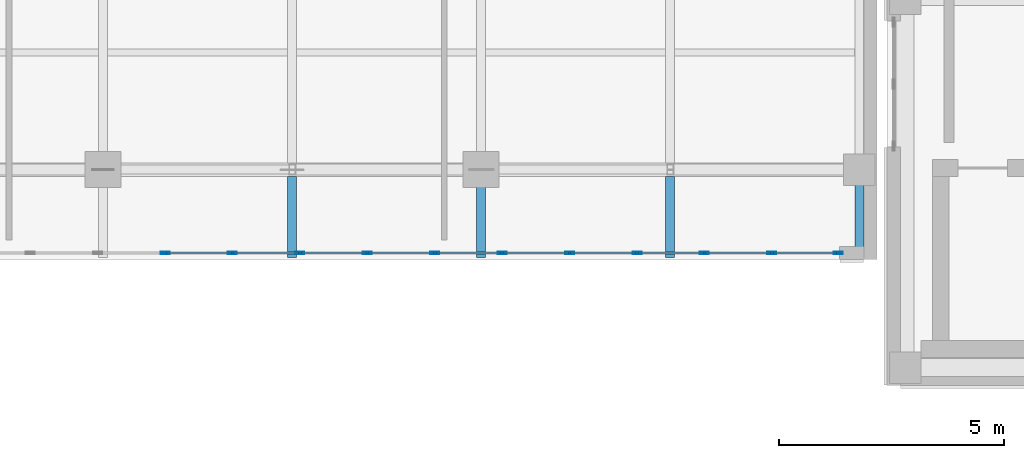
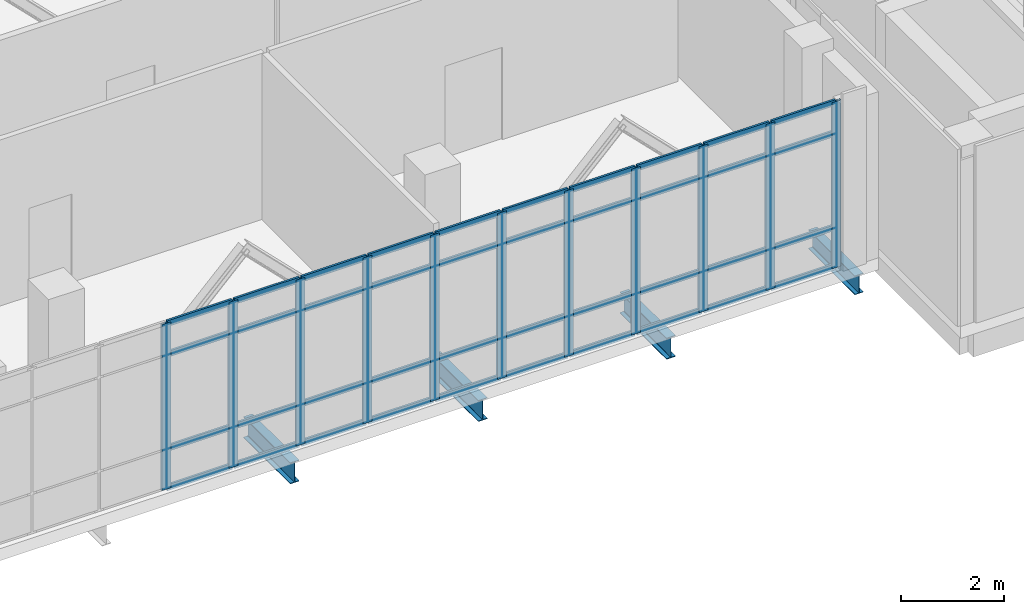
# One storey, part 4 of 165: 51 members, 4 beams, 1 element without a shape of its own.
"""IFC4 building model written with IfcOpenShell, lengths in metres."""

from ifc_helpers import new_model, si_unit, direction, frame, origin, origin_2d, place, context, subcontext, project, spatial, hollow_rectangle, i_section, extrude, material, layer, layer_set, material_profile, profile_set, type_object, element, aggregate, save


model = new_model("IFC4")

# Units and contexts
model_context = context("Model", 3, precision=1e-05, world=origin(), true_north=direction((0.0, 1.0)))
body_context = subcontext(model_context, "Body", "Model", "MODEL_VIEW")
ifc_project = project(units=[si_unit("LENGTHUNIT", "METRE"), si_unit("AREAUNIT", "SQUARE_METRE"), si_unit("VOLUMEUNIT", "CUBIC_METRE"), si_unit("PLANEANGLEUNIT", "RADIAN"), si_unit("MASSUNIT", "GRAM", prefix="KILO")], contexts=[model_context])

# Site, building, storey
site_placement = place(None, origin())
site = spatial("IfcSite", under=ifc_project, at=site_placement, CompositionType="ELEMENT")
building_placement = place(site_placement, origin())
building = spatial("IfcBuilding", under=site, at=building_placement, Name="Qalavern Law Courts", CompositionType="ELEMENT")
storey_placement = place(building_placement, frame((0.0, 0.0, 14.39990234375)))
storey = spatial("IfcBuildingStorey", under=building, at=storey_placement, Name="L03", CompositionType="ELEMENT", Elevation=14.39990234375)

# Curtain wall, members
ifc_material_1 = material(Name="Anodised aluminium and insulated glazing", Category="aluminium")
ifc_layer = layer(ifc_material_1, 0.199951171875)
ifc_layer_set = layer_set([ifc_layer], Name="Anodised aluminium and insulated glazing")
curtain_wall_type = type_object("IfcCurtainWallType", Name="ENV-CW-FOYER", PredefinedType="USERDEFINED", material=ifc_layer_set)
curtain_wall_placement = place(storey_placement, origin())
curtain_wall = element("IfcCurtainWall", 1, at=curtain_wall_placement, inside=storey, type_object=curtain_wall_type, Name="V1 unitised curtain wall L03 south 1", ObjectType="UNITISED CURTAIN WALL", PredefinedType="USERDEFINED")
ifc_material_2 = material(Name="Anodised aluminium", Category="aluminium")
ifc_material_profile_1 = material_profile(ifc_material_2, hollow_rectangle(XDim=0.048095703125, YDim=0.199951171875, WallThickness=0.00439453125, at=origin_2d()), Name="ALU MULLION 48x200")
ifc_profile_set_1 = profile_set([ifc_material_profile_1], Name="Anodised aluminium")
member_type_1 = type_object("IfcMemberType", Name="ENV-CWM-48x200", PredefinedType="MULLION", material=ifc_profile_set_1)
member_1_placement = place(storey_placement, frame((18.1767578125, 8.1474609375, 0.0), z_axis=(0.0, 0.0, 1.0), x_axis=(0.0, 1.0, 0.0)))
member_1 = element("IfcMember", 2, at=member_1_placement, type_object=member_type_1, Name="CW-01 mullion 9", PredefinedType="MULLION", context=body_context, shape_type="SweptSolid", body=[
    extrude(hollow_rectangle(XDim=0.048095703125, YDim=0.199951171875, WallThickness=0.00439453125, at=origin_2d()), origin(), (0.0, 0.0, 1.0), 3.920166015625),
])
member_2_placement = place(storey_placement, frame((19.675048828125, 8.1474609375, 0.0), z_axis=(0.0, 0.0, 1.0), x_axis=(0.0, 1.0, 0.0)))
member_2 = element("IfcMember", 3, at=member_2_placement, type_object=member_type_1, Name="CW-01 mullion 10", PredefinedType="MULLION", context=body_context, shape_type="SweptSolid", body=[
    extrude(hollow_rectangle(XDim=0.048095703125, YDim=0.199951171875, WallThickness=0.00439453125, at=origin_2d()), origin(), (0.0, 0.0, 1.0), 3.920166015625),
])
member_3_placement = place(storey_placement, frame((21.17333984375, 8.1474609375, 0.0), z_axis=(0.0, 0.0, 1.0), x_axis=(0.0, 1.0, 0.0)))
member_3 = element("IfcMember", 4, at=member_3_placement, type_object=member_type_1, Name="CW-01 mullion 11", PredefinedType="MULLION", context=body_context, shape_type="SweptSolid", body=[
    extrude(hollow_rectangle(XDim=0.048095703125, YDim=0.199951171875, WallThickness=0.00439453125, at=origin_2d()), origin(), (0.0, 0.0, 1.0), 3.920166015625),
])
member_4_placement = place(storey_placement, frame((22.671630859375, 8.1474609375, 0.0), z_axis=(0.0, 0.0, 1.0), x_axis=(0.0, 1.0, 0.0)))
member_4 = element("IfcMember", 5, at=member_4_placement, type_object=member_type_1, Name="CW-01 mullion 12", PredefinedType="MULLION", context=body_context, shape_type="SweptSolid", body=[
    extrude(hollow_rectangle(XDim=0.048095703125, YDim=0.199951171875, WallThickness=0.00439453125, at=origin_2d()), origin(), (0.0, 0.0, 1.0), 3.920166015625),
])
member_5_placement = place(storey_placement, frame((24.169921875, 8.1474609375, 0.0), z_axis=(0.0, 0.0, 1.0), x_axis=(0.0, 1.0, 0.0)))
member_5 = element("IfcMember", 6, at=member_5_placement, type_object=member_type_1, Name="CW-01 mullion 13", PredefinedType="MULLION", context=body_context, shape_type="SweptSolid", body=[
    extrude(hollow_rectangle(XDim=0.048095703125, YDim=0.199951171875, WallThickness=0.00439453125, at=origin_2d()), origin(), (0.0, 0.0, 1.0), 3.920166015625),
])
member_6_placement = place(storey_placement, frame((25.668212890625, 8.1474609375, 0.0), z_axis=(0.0, 0.0, 1.0), x_axis=(0.0, 1.0, 0.0)))
member_6 = element("IfcMember", 7, at=member_6_placement, type_object=member_type_1, Name="CW-01 mullion 14", PredefinedType="MULLION", context=body_context, shape_type="SweptSolid", body=[
    extrude(hollow_rectangle(XDim=0.048095703125, YDim=0.199951171875, WallThickness=0.00439453125, at=origin_2d()), origin(), (0.0, 0.0, 1.0), 3.920166015625),
])
member_7_placement = place(storey_placement, frame((27.166748046875, 8.1474609375, 0.0), z_axis=(0.0, 0.0, 1.0), x_axis=(0.0, 1.0, 0.0)))
member_7 = element("IfcMember", 8, at=member_7_placement, type_object=member_type_1, Name="CW-01 mullion 15", PredefinedType="MULLION", context=body_context, shape_type="SweptSolid", body=[
    extrude(hollow_rectangle(XDim=0.048095703125, YDim=0.199951171875, WallThickness=0.00439453125, at=origin_2d()), origin(), (0.0, 0.0, 1.0), 3.920166015625),
])
member_8_placement = place(storey_placement, frame((28.6650390625, 8.1474609375, 0.0), z_axis=(0.0, 0.0, 1.0), x_axis=(0.0, 1.0, 0.0)))
member_8 = element("IfcMember", 9, at=member_8_placement, type_object=member_type_1, Name="CW-01 mullion 16", PredefinedType="MULLION", context=body_context, shape_type="SweptSolid", body=[
    extrude(hollow_rectangle(XDim=0.048095703125, YDim=0.199951171875, WallThickness=0.00439453125, at=origin_2d()), origin(), (0.0, 0.0, 1.0), 3.920166015625),
])
member_9_placement = place(storey_placement, frame((30.163330078125, 8.1474609375, 0.0), z_axis=(0.0, 0.0, 1.0), x_axis=(0.0, 1.0, 0.0)))
member_9 = element("IfcMember", 10, at=member_9_placement, type_object=member_type_1, Name="CW-01 mullion 17", PredefinedType="MULLION", context=body_context, shape_type="SweptSolid", body=[
    extrude(hollow_rectangle(XDim=0.048095703125, YDim=0.199951171875, WallThickness=0.00439453125, at=origin_2d()), origin(), (0.0, 0.0, 1.0), 3.920166015625),
])
member_10_placement = place(storey_placement, frame((31.66162109375, 8.1474609375, 0.0), z_axis=(0.0, 0.0, 1.0), x_axis=(0.0, 1.0, 0.0)))
member_10 = element("IfcMember", 11, at=member_10_placement, type_object=member_type_1, Name="CW-01 mullion 18", PredefinedType="MULLION", context=body_context, shape_type="SweptSolid", body=[
    extrude(hollow_rectangle(XDim=0.048095703125, YDim=0.199951171875, WallThickness=0.00439453125, at=origin_2d()), origin(), (0.0, 0.0, 1.0), 3.920166015625),
])
member_11_placement = place(storey_placement, frame((33.135986328125, 8.1474609375, 0.0), z_axis=(0.0, 0.0, 1.0), x_axis=(0.0, 1.0, 0.0)))
member_11 = element("IfcMember", 12, at=member_11_placement, type_object=member_type_1, Name="CW-01 mullion 19", PredefinedType="MULLION", context=body_context, shape_type="SweptSolid", body=[
    extrude(hollow_rectangle(XDim=0.048095703125, YDim=0.199951171875, WallThickness=0.00439453125, at=origin_2d()), origin(), (0.0, 0.0, 1.0), 3.920166015625),
])
ifc_material_profile_2 = material_profile(ifc_material_2, hollow_rectangle(XDim=0.048095703125, YDim=0.139892578125, WallThickness=0.00390625, at=origin_2d()), Name="ALU TRANSOM 48x140")
ifc_profile_set_2 = profile_set([ifc_material_profile_2], Name="Anodised aluminium")
member_type_2 = type_object("IfcMemberType", Name="ENV-CWT-48x140", PredefinedType="USERDEFINED", material=ifc_profile_set_2)
member_12_placement = place(storey_placement, frame((18.20068359375, 8.1474609375, 0.024169921875), z_axis=(1.0, 0.0, 0.0), x_axis=(0.0, 1.0, 0.0)))
member_12 = element("IfcMember", 13, at=member_12_placement, type_object=member_type_2, Name="CW-01 transom 9.1", ObjectType="TRANSOM", PredefinedType="USERDEFINED", context=body_context, shape_type="SweptSolid", body=[
    extrude(hollow_rectangle(XDim=0.048095703125, YDim=0.139892578125, WallThickness=0.00390625, at=origin_2d()), origin(), (0.0, 0.0, 1.0), 1.4501953125),
])
member_13_placement = place(storey_placement, frame((18.20068359375, 8.1474609375, 0.9501953125), z_axis=(1.0, 0.0, 0.0), x_axis=(0.0, 1.0, 0.0)))
member_13 = element("IfcMember", 14, at=member_13_placement, type_object=member_type_2, Name="CW-01 transom 9.2", ObjectType="TRANSOM", PredefinedType="USERDEFINED", context=body_context, shape_type="SweptSolid", body=[
    extrude(hollow_rectangle(XDim=0.048095703125, YDim=0.139892578125, WallThickness=0.00390625, at=origin_2d()), origin(), (0.0, 0.0, 1.0), 1.4501953125),
])
member_14_placement = place(storey_placement, frame((18.20068359375, 8.1474609375, 3.170166015625), z_axis=(1.0, 0.0, 0.0), x_axis=(0.0, 1.0, 0.0)))
member_14 = element("IfcMember", 15, at=member_14_placement, type_object=member_type_2, Name="CW-01 transom 9.3", ObjectType="TRANSOM", PredefinedType="USERDEFINED", context=body_context, shape_type="SweptSolid", body=[
    extrude(hollow_rectangle(XDim=0.048095703125, YDim=0.139892578125, WallThickness=0.00390625, at=origin_2d()), origin(), (0.0, 0.0, 1.0), 1.4501953125),
])
member_15_placement = place(storey_placement, frame((18.20068359375, 8.1474609375, 3.89599609375), z_axis=(1.0, 0.0, 0.0), x_axis=(0.0, 1.0, 0.0)))
member_15 = element("IfcMember", 16, at=member_15_placement, type_object=member_type_2, Name="CW-01 transom 9.4", ObjectType="TRANSOM", PredefinedType="USERDEFINED", context=body_context, shape_type="SweptSolid", body=[
    extrude(hollow_rectangle(XDim=0.048095703125, YDim=0.139892578125, WallThickness=0.00390625, at=origin_2d()), origin(), (0.0, 0.0, 1.0), 1.4501953125),
])
member_16_placement = place(storey_placement, frame((19.698974609375, 8.1474609375, 0.024169921875), z_axis=(1.0, 0.0, 0.0), x_axis=(0.0, 1.0, 0.0)))
member_16 = element("IfcMember", 17, at=member_16_placement, type_object=member_type_2, Name="CW-01 transom 10.1", ObjectType="TRANSOM", PredefinedType="USERDEFINED", context=body_context, shape_type="SweptSolid", body=[
    extrude(hollow_rectangle(XDim=0.048095703125, YDim=0.139892578125, WallThickness=0.00390625, at=origin_2d()), origin(), (0.0, 0.0, 1.0), 1.450439453125),
])
member_17_placement = place(storey_placement, frame((19.698974609375, 8.1474609375, 0.9501953125), z_axis=(1.0, 0.0, 0.0), x_axis=(0.0, 1.0, 0.0)))
member_17 = element("IfcMember", 18, at=member_17_placement, type_object=member_type_2, Name="CW-01 transom 10.2", ObjectType="TRANSOM", PredefinedType="USERDEFINED", context=body_context, shape_type="SweptSolid", body=[
    extrude(hollow_rectangle(XDim=0.048095703125, YDim=0.139892578125, WallThickness=0.00390625, at=origin_2d()), origin(), (0.0, 0.0, 1.0), 1.450439453125),
])
member_18_placement = place(storey_placement, frame((19.698974609375, 8.1474609375, 3.170166015625), z_axis=(1.0, 0.0, 0.0), x_axis=(0.0, 1.0, 0.0)))
member_18 = element("IfcMember", 19, at=member_18_placement, type_object=member_type_2, Name="CW-01 transom 10.3", ObjectType="TRANSOM", PredefinedType="USERDEFINED", context=body_context, shape_type="SweptSolid", body=[
    extrude(hollow_rectangle(XDim=0.048095703125, YDim=0.139892578125, WallThickness=0.00390625, at=origin_2d()), origin(), (0.0, 0.0, 1.0), 1.450439453125),
])
member_19_placement = place(storey_placement, frame((19.698974609375, 8.1474609375, 3.89599609375), z_axis=(1.0, 0.0, 0.0), x_axis=(0.0, 1.0, 0.0)))
member_19 = element("IfcMember", 20, at=member_19_placement, type_object=member_type_2, Name="CW-01 transom 10.4", ObjectType="TRANSOM", PredefinedType="USERDEFINED", context=body_context, shape_type="SweptSolid", body=[
    extrude(hollow_rectangle(XDim=0.048095703125, YDim=0.139892578125, WallThickness=0.00390625, at=origin_2d()), origin(), (0.0, 0.0, 1.0), 1.450439453125),
])
member_20_placement = place(storey_placement, frame((21.197265625, 8.1474609375, 0.024169921875), z_axis=(1.0, 0.0, 0.0), x_axis=(0.0, 1.0, 0.0)))
member_20 = element("IfcMember", 21, at=member_20_placement, type_object=member_type_2, Name="CW-01 transom 11.1", ObjectType="TRANSOM", PredefinedType="USERDEFINED", context=body_context, shape_type="SweptSolid", body=[
    extrude(hollow_rectangle(XDim=0.048095703125, YDim=0.139892578125, WallThickness=0.00390625, at=origin_2d()), origin(), (0.0, 0.0, 1.0), 1.450439453125),
])
member_21_placement = place(storey_placement, frame((21.197265625, 8.1474609375, 0.9501953125), z_axis=(1.0, 0.0, 0.0), x_axis=(0.0, 1.0, 0.0)))
member_21 = element("IfcMember", 22, at=member_21_placement, type_object=member_type_2, Name="CW-01 transom 11.2", ObjectType="TRANSOM", PredefinedType="USERDEFINED", context=body_context, shape_type="SweptSolid", body=[
    extrude(hollow_rectangle(XDim=0.048095703125, YDim=0.139892578125, WallThickness=0.00390625, at=origin_2d()), origin(), (0.0, 0.0, 1.0), 1.450439453125),
])
member_22_placement = place(storey_placement, frame((21.197265625, 8.1474609375, 3.170166015625), z_axis=(1.0, 0.0, 0.0), x_axis=(0.0, 1.0, 0.0)))
member_22 = element("IfcMember", 23, at=member_22_placement, type_object=member_type_2, Name="CW-01 transom 11.3", ObjectType="TRANSOM", PredefinedType="USERDEFINED", context=body_context, shape_type="SweptSolid", body=[
    extrude(hollow_rectangle(XDim=0.048095703125, YDim=0.139892578125, WallThickness=0.00390625, at=origin_2d()), origin(), (0.0, 0.0, 1.0), 1.450439453125),
])
member_23_placement = place(storey_placement, frame((21.197265625, 8.1474609375, 3.89599609375), z_axis=(1.0, 0.0, 0.0), x_axis=(0.0, 1.0, 0.0)))
member_23 = element("IfcMember", 24, at=member_23_placement, type_object=member_type_2, Name="CW-01 transom 11.4", ObjectType="TRANSOM", PredefinedType="USERDEFINED", context=body_context, shape_type="SweptSolid", body=[
    extrude(hollow_rectangle(XDim=0.048095703125, YDim=0.139892578125, WallThickness=0.00390625, at=origin_2d()), origin(), (0.0, 0.0, 1.0), 1.450439453125),
])
member_24_placement = place(storey_placement, frame((22.695556640625, 8.1474609375, 0.024169921875), z_axis=(1.0, 0.0, 0.0), x_axis=(0.0, 1.0, 0.0)))
member_24 = element("IfcMember", 25, at=member_24_placement, type_object=member_type_2, Name="CW-01 transom 12.1", ObjectType="TRANSOM", PredefinedType="USERDEFINED", context=body_context, shape_type="SweptSolid", body=[
    extrude(hollow_rectangle(XDim=0.048095703125, YDim=0.139892578125, WallThickness=0.00390625, at=origin_2d()), origin(), (0.0, 0.0, 1.0), 1.450439453125),
])
member_25_placement = place(storey_placement, frame((22.695556640625, 8.1474609375, 0.9501953125), z_axis=(1.0, 0.0, 0.0), x_axis=(0.0, 1.0, 0.0)))
member_25 = element("IfcMember", 26, at=member_25_placement, type_object=member_type_2, Name="CW-01 transom 12.2", ObjectType="TRANSOM", PredefinedType="USERDEFINED", context=body_context, shape_type="SweptSolid", body=[
    extrude(hollow_rectangle(XDim=0.048095703125, YDim=0.139892578125, WallThickness=0.00390625, at=origin_2d()), origin(), (0.0, 0.0, 1.0), 1.450439453125),
])
member_26_placement = place(storey_placement, frame((22.695556640625, 8.1474609375, 3.170166015625), z_axis=(1.0, 0.0, 0.0), x_axis=(0.0, 1.0, 0.0)))
member_26 = element("IfcMember", 27, at=member_26_placement, type_object=member_type_2, Name="CW-01 transom 12.3", ObjectType="TRANSOM", PredefinedType="USERDEFINED", context=body_context, shape_type="SweptSolid", body=[
    extrude(hollow_rectangle(XDim=0.048095703125, YDim=0.139892578125, WallThickness=0.00390625, at=origin_2d()), origin(), (0.0, 0.0, 1.0), 1.450439453125),
])
member_27_placement = place(storey_placement, frame((22.695556640625, 8.1474609375, 3.89599609375), z_axis=(1.0, 0.0, 0.0), x_axis=(0.0, 1.0, 0.0)))
member_27 = element("IfcMember", 28, at=member_27_placement, type_object=member_type_2, Name="CW-01 transom 12.4", ObjectType="TRANSOM", PredefinedType="USERDEFINED", context=body_context, shape_type="SweptSolid", body=[
    extrude(hollow_rectangle(XDim=0.048095703125, YDim=0.139892578125, WallThickness=0.00390625, at=origin_2d()), origin(), (0.0, 0.0, 1.0), 1.450439453125),
])
member_28_placement = place(storey_placement, frame((24.194091796875, 8.1474609375, 0.024169921875), z_axis=(1.0, 0.0, 0.0), x_axis=(0.0, 1.0, 0.0)))
member_28 = element("IfcMember", 29, at=member_28_placement, type_object=member_type_2, Name="CW-01 transom 13.1", ObjectType="TRANSOM", PredefinedType="USERDEFINED", context=body_context, shape_type="SweptSolid", body=[
    extrude(hollow_rectangle(XDim=0.048095703125, YDim=0.139892578125, WallThickness=0.00390625, at=origin_2d()), origin(), (0.0, 0.0, 1.0), 1.4501953125),
])
member_29_placement = place(storey_placement, frame((24.194091796875, 8.1474609375, 0.9501953125), z_axis=(1.0, 0.0, 0.0), x_axis=(0.0, 1.0, 0.0)))
member_29 = element("IfcMember", 30, at=member_29_placement, type_object=member_type_2, Name="CW-01 transom 13.2", ObjectType="TRANSOM", PredefinedType="USERDEFINED", context=body_context, shape_type="SweptSolid", body=[
    extrude(hollow_rectangle(XDim=0.048095703125, YDim=0.139892578125, WallThickness=0.00390625, at=origin_2d()), origin(), (0.0, 0.0, 1.0), 1.4501953125),
])
member_30_placement = place(storey_placement, frame((24.194091796875, 8.1474609375, 3.170166015625), z_axis=(1.0, 0.0, 0.0), x_axis=(0.0, 1.0, 0.0)))
member_30 = element("IfcMember", 31, at=member_30_placement, type_object=member_type_2, Name="CW-01 transom 13.3", ObjectType="TRANSOM", PredefinedType="USERDEFINED", context=body_context, shape_type="SweptSolid", body=[
    extrude(hollow_rectangle(XDim=0.048095703125, YDim=0.139892578125, WallThickness=0.00390625, at=origin_2d()), origin(), (0.0, 0.0, 1.0), 1.4501953125),
])
member_31_placement = place(storey_placement, frame((24.194091796875, 8.1474609375, 3.89599609375), z_axis=(1.0, 0.0, 0.0), x_axis=(0.0, 1.0, 0.0)))
member_31 = element("IfcMember", 32, at=member_31_placement, type_object=member_type_2, Name="CW-01 transom 13.4", ObjectType="TRANSOM", PredefinedType="USERDEFINED", context=body_context, shape_type="SweptSolid", body=[
    extrude(hollow_rectangle(XDim=0.048095703125, YDim=0.139892578125, WallThickness=0.00390625, at=origin_2d()), origin(), (0.0, 0.0, 1.0), 1.4501953125),
])
member_32_placement = place(storey_placement, frame((25.6923828125, 8.1474609375, 0.024169921875), z_axis=(1.0, 0.0, 0.0), x_axis=(0.0, 1.0, 0.0)))
member_32 = element("IfcMember", 33, at=member_32_placement, type_object=member_type_2, Name="CW-01 transom 14.1", ObjectType="TRANSOM", PredefinedType="USERDEFINED", context=body_context, shape_type="SweptSolid", body=[
    extrude(hollow_rectangle(XDim=0.048095703125, YDim=0.139892578125, WallThickness=0.00390625, at=origin_2d()), origin(), (0.0, 0.0, 1.0), 1.4501953125),
])
member_33_placement = place(storey_placement, frame((25.6923828125, 8.1474609375, 0.9501953125), z_axis=(1.0, 0.0, 0.0), x_axis=(0.0, 1.0, 0.0)))
member_33 = element("IfcMember", 34, at=member_33_placement, type_object=member_type_2, Name="CW-01 transom 14.2", ObjectType="TRANSOM", PredefinedType="USERDEFINED", context=body_context, shape_type="SweptSolid", body=[
    extrude(hollow_rectangle(XDim=0.048095703125, YDim=0.139892578125, WallThickness=0.00390625, at=origin_2d()), origin(), (0.0, 0.0, 1.0), 1.4501953125),
])
member_34_placement = place(storey_placement, frame((25.6923828125, 8.1474609375, 3.170166015625), z_axis=(1.0, 0.0, 0.0), x_axis=(0.0, 1.0, 0.0)))
member_34 = element("IfcMember", 35, at=member_34_placement, type_object=member_type_2, Name="CW-01 transom 14.3", ObjectType="TRANSOM", PredefinedType="USERDEFINED", context=body_context, shape_type="SweptSolid", body=[
    extrude(hollow_rectangle(XDim=0.048095703125, YDim=0.139892578125, WallThickness=0.00390625, at=origin_2d()), origin(), (0.0, 0.0, 1.0), 1.4501953125),
])
member_35_placement = place(storey_placement, frame((25.6923828125, 8.1474609375, 3.89599609375), z_axis=(1.0, 0.0, 0.0), x_axis=(0.0, 1.0, 0.0)))
member_35 = element("IfcMember", 36, at=member_35_placement, type_object=member_type_2, Name="CW-01 transom 14.4", ObjectType="TRANSOM", PredefinedType="USERDEFINED", context=body_context, shape_type="SweptSolid", body=[
    extrude(hollow_rectangle(XDim=0.048095703125, YDim=0.139892578125, WallThickness=0.00390625, at=origin_2d()), origin(), (0.0, 0.0, 1.0), 1.4501953125),
])
member_36_placement = place(storey_placement, frame((27.190673828125, 8.1474609375, 0.024169921875), z_axis=(1.0, 0.0, 0.0), x_axis=(0.0, 1.0, 0.0)))
member_36 = element("IfcMember", 37, at=member_36_placement, type_object=member_type_2, Name="CW-01 transom 15.1", ObjectType="TRANSOM", PredefinedType="USERDEFINED", context=body_context, shape_type="SweptSolid", body=[
    extrude(hollow_rectangle(XDim=0.048095703125, YDim=0.139892578125, WallThickness=0.00390625, at=origin_2d()), origin(), (0.0, 0.0, 1.0), 1.450439453125),
])
member_37_placement = place(storey_placement, frame((27.190673828125, 8.1474609375, 0.9501953125), z_axis=(1.0, 0.0, 0.0), x_axis=(0.0, 1.0, 0.0)))
member_37 = element("IfcMember", 38, at=member_37_placement, type_object=member_type_2, Name="CW-01 transom 15.2", ObjectType="TRANSOM", PredefinedType="USERDEFINED", context=body_context, shape_type="SweptSolid", body=[
    extrude(hollow_rectangle(XDim=0.048095703125, YDim=0.139892578125, WallThickness=0.00390625, at=origin_2d()), origin(), (0.0, 0.0, 1.0), 1.450439453125),
])
member_38_placement = place(storey_placement, frame((27.190673828125, 8.1474609375, 3.170166015625), z_axis=(1.0, 0.0, 0.0), x_axis=(0.0, 1.0, 0.0)))
member_38 = element("IfcMember", 39, at=member_38_placement, type_object=member_type_2, Name="CW-01 transom 15.3", ObjectType="TRANSOM", PredefinedType="USERDEFINED", context=body_context, shape_type="SweptSolid", body=[
    extrude(hollow_rectangle(XDim=0.048095703125, YDim=0.139892578125, WallThickness=0.00390625, at=origin_2d()), origin(), (0.0, 0.0, 1.0), 1.450439453125),
])
member_39_placement = place(storey_placement, frame((27.190673828125, 8.1474609375, 3.89599609375), z_axis=(1.0, 0.0, 0.0), x_axis=(0.0, 1.0, 0.0)))
member_39 = element("IfcMember", 40, at=member_39_placement, type_object=member_type_2, Name="CW-01 transom 15.4", ObjectType="TRANSOM", PredefinedType="USERDEFINED", context=body_context, shape_type="SweptSolid", body=[
    extrude(hollow_rectangle(XDim=0.048095703125, YDim=0.139892578125, WallThickness=0.00390625, at=origin_2d()), origin(), (0.0, 0.0, 1.0), 1.450439453125),
])
member_40_placement = place(storey_placement, frame((28.68896484375, 8.1474609375, 0.024169921875), z_axis=(1.0, 0.0, 0.0), x_axis=(0.0, 1.0, 0.0)))
member_40 = element("IfcMember", 41, at=member_40_placement, type_object=member_type_2, Name="CW-01 transom 16.1", ObjectType="TRANSOM", PredefinedType="USERDEFINED", context=body_context, shape_type="SweptSolid", body=[
    extrude(hollow_rectangle(XDim=0.048095703125, YDim=0.139892578125, WallThickness=0.00390625, at=origin_2d()), origin(), (0.0, 0.0, 1.0), 1.450439453125),
])
member_41_placement = place(storey_placement, frame((28.68896484375, 8.1474609375, 0.9501953125), z_axis=(1.0, 0.0, 0.0), x_axis=(0.0, 1.0, 0.0)))
member_41 = element("IfcMember", 42, at=member_41_placement, type_object=member_type_2, Name="CW-01 transom 16.2", ObjectType="TRANSOM", PredefinedType="USERDEFINED", context=body_context, shape_type="SweptSolid", body=[
    extrude(hollow_rectangle(XDim=0.048095703125, YDim=0.139892578125, WallThickness=0.00390625, at=origin_2d()), origin(), (0.0, 0.0, 1.0), 1.450439453125),
])
member_42_placement = place(storey_placement, frame((28.68896484375, 8.1474609375, 3.170166015625), z_axis=(1.0, 0.0, 0.0), x_axis=(0.0, 1.0, 0.0)))
member_42 = element("IfcMember", 43, at=member_42_placement, type_object=member_type_2, Name="CW-01 transom 16.3", ObjectType="TRANSOM", PredefinedType="USERDEFINED", context=body_context, shape_type="SweptSolid", body=[
    extrude(hollow_rectangle(XDim=0.048095703125, YDim=0.139892578125, WallThickness=0.00390625, at=origin_2d()), origin(), (0.0, 0.0, 1.0), 1.450439453125),
])
member_43_placement = place(storey_placement, frame((28.68896484375, 8.1474609375, 3.89599609375), z_axis=(1.0, 0.0, 0.0), x_axis=(0.0, 1.0, 0.0)))
member_43 = element("IfcMember", 44, at=member_43_placement, type_object=member_type_2, Name="CW-01 transom 16.4", ObjectType="TRANSOM", PredefinedType="USERDEFINED", context=body_context, shape_type="SweptSolid", body=[
    extrude(hollow_rectangle(XDim=0.048095703125, YDim=0.139892578125, WallThickness=0.00390625, at=origin_2d()), origin(), (0.0, 0.0, 1.0), 1.450439453125),
])
member_44_placement = place(storey_placement, frame((30.187255859375, 8.1474609375, 0.024169921875), z_axis=(1.0, 0.0, 0.0), x_axis=(0.0, 1.0, 0.0)))
member_44 = element("IfcMember", 45, at=member_44_placement, type_object=member_type_2, Name="CW-01 transom 17.1", ObjectType="TRANSOM", PredefinedType="USERDEFINED", context=body_context, shape_type="SweptSolid", body=[
    extrude(hollow_rectangle(XDim=0.048095703125, YDim=0.139892578125, WallThickness=0.00390625, at=origin_2d()), origin(), (0.0, 0.0, 1.0), 1.450439453125),
])
member_45_placement = place(storey_placement, frame((30.187255859375, 8.1474609375, 0.9501953125), z_axis=(1.0, 0.0, 0.0), x_axis=(0.0, 1.0, 0.0)))
member_45 = element("IfcMember", 46, at=member_45_placement, type_object=member_type_2, Name="CW-01 transom 17.2", ObjectType="TRANSOM", PredefinedType="USERDEFINED", context=body_context, shape_type="SweptSolid", body=[
    extrude(hollow_rectangle(XDim=0.048095703125, YDim=0.139892578125, WallThickness=0.00390625, at=origin_2d()), origin(), (0.0, 0.0, 1.0), 1.450439453125),
])
member_46_placement = place(storey_placement, frame((30.187255859375, 8.1474609375, 3.170166015625), z_axis=(1.0, 0.0, 0.0), x_axis=(0.0, 1.0, 0.0)))
member_46 = element("IfcMember", 47, at=member_46_placement, type_object=member_type_2, Name="CW-01 transom 17.3", ObjectType="TRANSOM", PredefinedType="USERDEFINED", context=body_context, shape_type="SweptSolid", body=[
    extrude(hollow_rectangle(XDim=0.048095703125, YDim=0.139892578125, WallThickness=0.00390625, at=origin_2d()), origin(), (0.0, 0.0, 1.0), 1.450439453125),
])
member_47_placement = place(storey_placement, frame((30.187255859375, 8.1474609375, 3.89599609375), z_axis=(1.0, 0.0, 0.0), x_axis=(0.0, 1.0, 0.0)))
member_47 = element("IfcMember", 48, at=member_47_placement, type_object=member_type_2, Name="CW-01 transom 17.4", ObjectType="TRANSOM", PredefinedType="USERDEFINED", context=body_context, shape_type="SweptSolid", body=[
    extrude(hollow_rectangle(XDim=0.048095703125, YDim=0.139892578125, WallThickness=0.00390625, at=origin_2d()), origin(), (0.0, 0.0, 1.0), 1.450439453125),
])
member_48_placement = place(storey_placement, frame((31.685546875, 8.1474609375, 0.024169921875), z_axis=(1.0, 0.0, 0.0), x_axis=(0.0, 1.0, 0.0)))
member_48 = element("IfcMember", 49, at=member_48_placement, type_object=member_type_2, Name="CW-01 transom 18.1", ObjectType="TRANSOM", PredefinedType="USERDEFINED", context=body_context, shape_type="SweptSolid", body=[
    extrude(hollow_rectangle(XDim=0.048095703125, YDim=0.139892578125, WallThickness=0.00390625, at=origin_2d()), origin(), (0.0, 0.0, 1.0), 1.426513671875),
])
member_49_placement = place(storey_placement, frame((31.685546875, 8.1474609375, 0.9501953125), z_axis=(1.0, 0.0, 0.0), x_axis=(0.0, 1.0, 0.0)))
member_49 = element("IfcMember", 50, at=member_49_placement, type_object=member_type_2, Name="CW-01 transom 18.2", ObjectType="TRANSOM", PredefinedType="USERDEFINED", context=body_context, shape_type="SweptSolid", body=[
    extrude(hollow_rectangle(XDim=0.048095703125, YDim=0.139892578125, WallThickness=0.00390625, at=origin_2d()), origin(), (0.0, 0.0, 1.0), 1.426513671875),
])
member_50_placement = place(storey_placement, frame((31.685546875, 8.1474609375, 3.170166015625), z_axis=(1.0, 0.0, 0.0), x_axis=(0.0, 1.0, 0.0)))
member_50 = element("IfcMember", 51, at=member_50_placement, type_object=member_type_2, Name="CW-01 transom 18.3", ObjectType="TRANSOM", PredefinedType="USERDEFINED", context=body_context, shape_type="SweptSolid", body=[
    extrude(hollow_rectangle(XDim=0.048095703125, YDim=0.139892578125, WallThickness=0.00390625, at=origin_2d()), origin(), (0.0, 0.0, 1.0), 1.426513671875),
])
member_51_placement = place(storey_placement, frame((31.685546875, 8.1474609375, 3.89599609375), z_axis=(1.0, 0.0, 0.0), x_axis=(0.0, 1.0, 0.0)))
member_51 = element("IfcMember", 52, at=member_51_placement, type_object=member_type_2, Name="CW-01 transom 18.4", ObjectType="TRANSOM", PredefinedType="USERDEFINED", context=body_context, shape_type="SweptSolid", body=[
    extrude(hollow_rectangle(XDim=0.048095703125, YDim=0.139892578125, WallThickness=0.00390625, at=origin_2d()), origin(), (0.0, 0.0, 1.0), 1.426513671875),
])
aggregate(curtain_wall, [member_1, member_2, member_3, member_4, member_5, member_6, member_7, member_8, member_9, member_10, member_11, member_12, member_13, member_14, member_15, member_16, member_17, member_18, member_19, member_20, member_21, member_22, member_23, member_24, member_25, member_26, member_27, member_28, member_29, member_30, member_31, member_32, member_33, member_34, member_35, member_36, member_37, member_38, member_39, member_40, member_41, member_42, member_43, member_44, member_45, member_46, member_47, member_48, member_49, member_50, member_51])

# Beams
ifc_material_3 = material(Name="Steel S355", Category="steel")
ifc_material_profile_3 = material_profile(ifc_material_3, i_section(OverallWidth=0.199951171875, OverallDepth=0.5, WebThickness=0.01025390625, FlangeThickness=0.01611328125, FilletRadius=0.02099609375, at=origin_2d()), Name="IPE 500")
ifc_profile_set_3 = profile_set([ifc_material_profile_3], Name="Steel S355")
beam_type_1 = type_object("IfcBeamType", Name="STR-BM-IPE500", PredefinedType="BEAM", material=ifc_profile_set_3)
for number, where, z_axis, x_axis, name in (
    (53, (29.39990234375, 8.050048828125, -0.534912109375), (0.0, 1.0, 0.0), (-1.0, 0.0, 0.0), "Foyer transverse beam L03-2.1"),
    (54, (25.199951171875, 8.050048828125, -0.534912109375), (0.0, 1.0, 0.0), (-1.0, 0.0, 0.0), "Foyer transverse beam L03-3.1"),
    (55, (21.0, 8.050048828125, -0.534912109375), (0.0, 1.0, 0.0), (-1.0, 0.0, 0.0), "Foyer transverse beam L03-4.1"),
):
    element("IfcBeam", number, at=place(storey_placement, frame(where, z_axis=z_axis, x_axis=x_axis)), inside=storey, type_object=beam_type_1, Name=name, PredefinedType="BEAM", context=body_context, shape_type="SweptSolid", body=[
        extrude(i_section(OverallWidth=0.199951171875, OverallDepth=0.5, WebThickness=0.01025390625, FlangeThickness=0.01611328125, FilletRadius=0.02099609375, at=origin_2d()), origin(), (0.0, 0.0, 1.0), 1.802001953125),
    ])
ifc_material_profile_4 = material_profile(ifc_material_3, i_section(OverallWidth=0.18994140625, OverallDepth=0.449951171875, WebThickness=0.009521484375, FlangeThickness=0.0146484375, FilletRadius=0.02099609375, at=origin_2d()), Name="IPE 450")
ifc_profile_set_4 = profile_set([ifc_material_profile_4], Name="Steel S355")
beam_type_2 = type_object("IfcBeamType", Name="STR-SP-IPE450", PredefinedType="SPANDREL", material=ifc_profile_set_4)
beam_placement = place(storey_placement, frame((33.60009765625, 8.050048828125, -0.510009765625), z_axis=(0.0, 1.0, 0.0), x_axis=(-1.0, 0.0, 0.0)))
element("IfcBeam", 56, at=beam_placement, inside=storey, type_object=beam_type_2, Name="Foyer transverse beam L03-1.1", PredefinedType="SPANDREL", context=body_context, shape_type="SweptSolid", body=[
    extrude(i_section(OverallWidth=0.18994140625, OverallDepth=0.449951171875, WebThickness=0.009521484375, FlangeThickness=0.0146484375, FilletRadius=0.02099609375, at=origin_2d()), origin(), (0.0, 0.0, 1.0), 1.802001953125),
])

save(model, "model.ifc")
